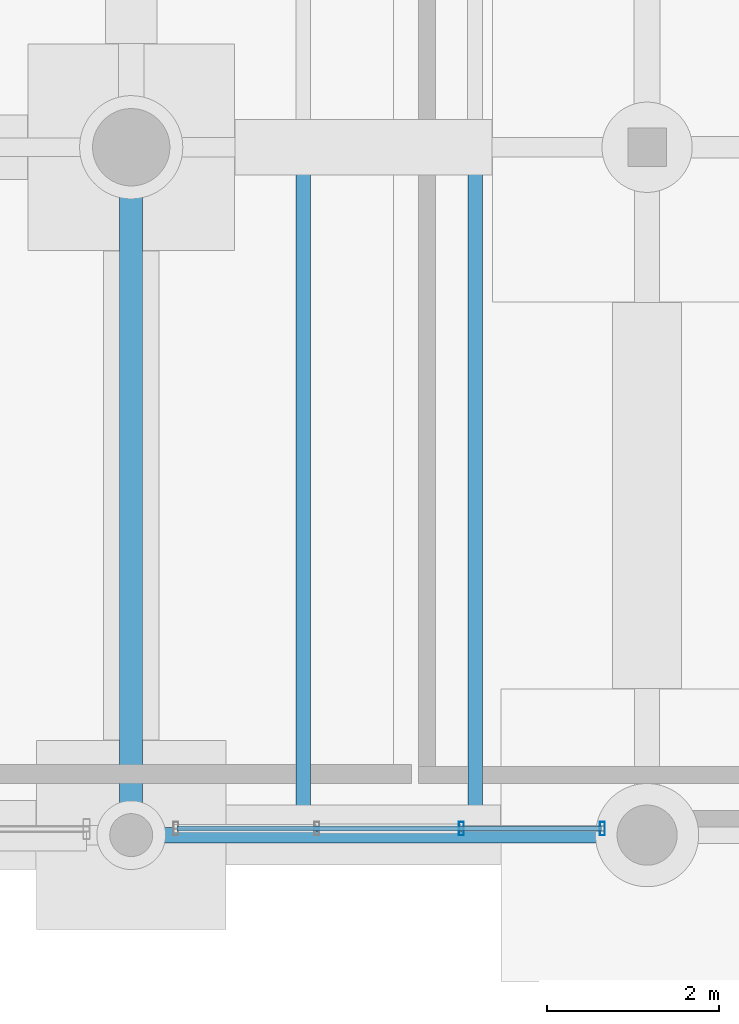
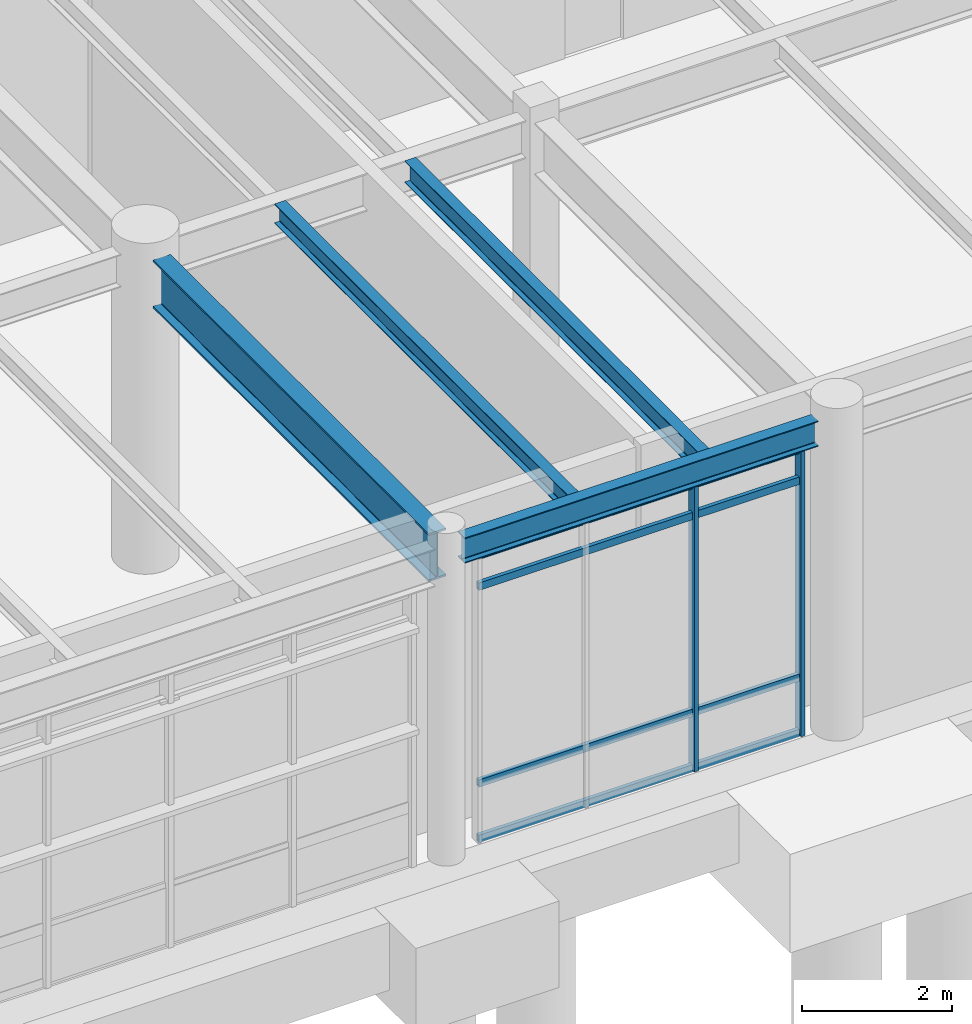
# One storey, part 132 of 203: 6 members, 4 beams, 1 element without a shape of its own.
"""IFC4 building model written with IfcOpenShell, lengths in metres."""

import ifcopenshell
import ifcopenshell.guid

model = None  # the IFC model being written
_history = None  # IfcOwnerHistory: only IFC2X3 demands one
_inside = {}  # id of a spatial element -> (the spatial element, [elements in it])
_under = {}  # id of a project, library or spatial element -> (it, [spatial elements below it])
_declared = {}  # id of a project -> (the project, [libraries it declares])
_typed = {}  # id of a type object -> (the type object, [elements of that type])
_made_of = {}  # id of a material, layer set ... -> (it, [elements and type objects made of it])


def new_model(schema):
    """Start an empty IFC model of exactly this schema.

    Asked for "IFC4X3", IfcOpenShell would pick the latest addendum, in which some entities
    have other attributes; the version numbers below select the first issue.
    IFC2X3 requires an IfcOwnerHistory on every rooted entity: one is made here for all.
    """
    global model, _history
    if schema == "IFC4X3":
        model = ifcopenshell.file(schema_version=(4, 3, 0, 0))
    else:
        model = ifcopenshell.file(schema=schema)
    _inside.clear()
    _under.clear()
    _declared.clear()
    _typed.clear()
    _made_of.clear()
    _history = None
    if model.schema == "IFC2X3":
        org = make("IfcOrganization", Name="unknown")
        user = make(
            "IfcPersonAndOrganization",
            ThePerson=make("IfcPerson", FamilyName="unknown"),
            TheOrganization=org,
        )
        app = make(
            "IfcApplication",
            ApplicationDeveloper=org,
            Version="unknown",
            ApplicationFullName="unknown",
            ApplicationIdentifier="unknown",
        )
        _history = make(
            "IfcOwnerHistory",
            OwningUser=user,
            OwningApplication=app,
            ChangeAction="ADDED",
            CreationDate=0,
        )
    return model


def make(cls, **values):
    """One entity of the class cls with the attributes given. An attribute that is None is left unset."""
    return model.create_entity(
        cls, **{name: value for name, value in values.items() if value is not None}
    )


def rooted(cls, **values):
    """An entity with a GlobalId (a new one), such as an element, a storey or a relation."""
    return make(cls, GlobalId=ifcopenshell.guid.new(), OwnerHistory=_history, **values)


def si_unit(unit_type, name, prefix=None):
    """IfcSIUnit, for example si_unit("LENGTHUNIT", "METRE", prefix="MILLI")."""
    return make("IfcSIUnit", UnitType=unit_type, Prefix=prefix, Name=name)


def assignment(units):
    """IfcUnitAssignment: the units of a project."""
    return None if units is None else make("IfcUnitAssignment", Units=units)


def point(xyz):
    """IfcCartesianPoint."""
    return None if xyz is None else make("IfcCartesianPoint", Coordinates=xyz)


def direction(xyz):
    """IfcDirection."""
    return None if xyz is None else make("IfcDirection", DirectionRatios=xyz)


def frame(location, z_axis=None, x_axis=None):
    """IfcAxis2Placement3D, a coordinate frame: its origin and axes. An axis left out is left unset."""
    return make(
        "IfcAxis2Placement3D",
        Location=point(location),
        Axis=direction(z_axis),
        RefDirection=direction(x_axis),
    )


def frame_2d(location, x_axis=None):
    """IfcAxis2Placement2D, a coordinate frame in the plane: its origin and x axis."""
    return make(
        "IfcAxis2Placement2D", Location=point(location), RefDirection=direction(x_axis)
    )


def origin():
    """The frame at (0, 0, 0) with its axes left unset."""
    return frame((0.0, 0.0, 0.0))


def origin_2d():
    """The frame at (0, 0) in the plane with its x axis left unset."""
    return frame_2d((0.0, 0.0))


def place(relative_to, where):
    """IfcLocalPlacement: puts the frame where relative to a parent placement (None: the world)."""
    return make(
        "IfcLocalPlacement", PlacementRelTo=relative_to, RelativePlacement=where
    )


def context(
    kind, dimensions, precision=None, world=None, true_north=None, identifier=None
):
    """IfcGeometricRepresentationContext, for example the 3D "Model" context."""
    return make(
        "IfcGeometricRepresentationContext",
        ContextIdentifier=identifier,
        ContextType=kind,
        CoordinateSpaceDimension=dimensions,
        Precision=precision,
        WorldCoordinateSystem=world,
        TrueNorth=true_north,
    )


def subcontext(parent, identifier, kind, view, scale=None):
    """IfcGeometricRepresentationSubContext, for example "Body" below "Model"."""
    return make(
        "IfcGeometricRepresentationSubContext",
        ContextIdentifier=identifier,
        ContextType=kind,
        ParentContext=parent,
        TargetScale=scale,
        TargetView=view,
    )


def project(units=None, contexts=None):
    """IfcProject with its units and contexts."""
    return rooted(
        "IfcProject",
        Name="project",
        RepresentationContexts=contexts,
        UnitsInContext=assignment(units),
    )


def spatial(cls, under=None, at=None, **own):
    """A site, building, storey or space (cls), placed at a placement, below another one or the project."""
    s = rooted(cls, ObjectPlacement=at, **own)
    if under is not None:
        _under.setdefault(under.id(), (under, []))[1].append(s)
    return s


def profile(cls, at=None, kind="AREA", **sizes):
    """A parametric profile (cls). Its sizes go by their IFC names, for example OverallWidth=200.0."""
    return make(cls, ProfileType=kind, Position=at, **sizes)


def hollow_rectangle(**sizes):
    """IfcRectangleHollowProfileDef."""
    return profile("IfcRectangleHollowProfileDef", **sizes)


def i_section(**sizes):
    """IfcIShapeProfileDef."""
    return profile("IfcIShapeProfileDef", **sizes)


def extrude(swept, where, along, depth):
    """IfcExtrudedAreaSolid: the profile swept, set in the frame where, extruded along a direction by depth."""
    return make(
        "IfcExtrudedAreaSolid",
        SweptArea=swept,
        Position=where,
        ExtrudedDirection=direction(along),
        Depth=depth,
    )


def shape(context_of_items, identifier, shape_type, items):
    """IfcShapeRepresentation: the items that make up one representation, for example the "Body"."""
    return make(
        "IfcShapeRepresentation",
        ContextOfItems=context_of_items,
        RepresentationIdentifier=identifier,
        RepresentationType=shape_type,
        Items=items,
    )


def material(Name=None, Category=None):
    """IfcMaterial."""
    return make("IfcMaterial", Name=Name, Category=Category)


def material_profile(
    of_material, cross_section, Name=None, Category=None, Priority=None
):
    """IfcMaterialProfile: a cross section and its material."""
    return make(
        "IfcMaterialProfile",
        Name=Name,
        Material=of_material,
        Profile=cross_section,
        Priority=Priority,
        Category=Category,
    )


def profile_set(profiles, Name=None, composite=None):
    """IfcMaterialProfileSet."""
    return make(
        "IfcMaterialProfileSet",
        Name=Name,
        MaterialProfiles=profiles,
        CompositeProfile=composite,
    )


def made_of(thing, what):
    """Note that an element or type object is made of a material, layer set ...; save() writes the relation."""
    if what is not None:
        _made_of.setdefault(what.id(), (what, []))[1].append(thing)
    return thing


def type_object(cls, material=None, **own):
    """A type object (cls), such as IfcWallType, which elements share."""
    return made_of(rooted(cls, **own), material)


def element(
    cls,
    number,
    at=None,
    inside=None,
    cuts=None,
    type_object=None,
    material=None,
    context=None,
    identifier="Body",
    shape_type=None,
    held_by="IfcProductDefinitionShape",
    body=None,
    shapes=None,
    **own,
):
    """One element of the class cls, such as IfcWall. Its Tag is "e" and its number.

    at: its placement. inside: the storey or other place that contains it. cuts: it is an
    opening in that element (IfcRelVoidsElement). A single representation is given by context,
    identifier, shape_type and body (its items); several are given by shapes. held_by: the class
    of the entity that holds the representations. save() writes the other relations.
    """
    e = rooted(cls, Tag="e%d" % number, ObjectPlacement=at, **own)
    if body is not None:
        shapes = [shape(context, identifier, shape_type, body)]
    if shapes is not None:
        e.Representation = make(held_by, Representations=shapes)
    if inside is not None:
        _inside.setdefault(inside.id(), (inside, []))[1].append(e)
    if cuts is not None:
        rooted(
            "IfcRelVoidsElement", RelatingBuildingElement=cuts, RelatedOpeningElement=e
        )
    if type_object is not None:
        _typed.setdefault(type_object.id(), (type_object, []))[1].append(e)
    return made_of(e, material)


def aggregate(whole, parts):
    """IfcRelAggregates: a whole, such as a stair, and the parts it consists of."""
    return rooted("IfcRelAggregates", RelatingObject=whole, RelatedObjects=parts)


def save(model, path):
    """Write the relations noted so far, then the file.

    IfcRelAggregates (storeys below a building ...), IfcRelContainedInSpatialStructure (elements
    in a storey), IfcRelDefinesByType, IfcRelAssociatesMaterial and IfcRelDeclares: one each for
    every whole, place, type object, material and project.
    """
    for whole, parts in _under.values():
        aggregate(whole, parts)
    for where, things in _inside.values():
        rooted(
            "IfcRelContainedInSpatialStructure",
            RelatedElements=things,
            RelatingStructure=where,
        )
    for kind, things in _typed.values():
        rooted("IfcRelDefinesByType", RelatedObjects=things, RelatingType=kind)
    for what, things in _made_of.values():
        rooted("IfcRelAssociatesMaterial", RelatedObjects=things, RelatingMaterial=what)
    for by, libraries in _declared.values():
        rooted("IfcRelDeclares", RelatingContext=by, RelatedDefinitions=libraries)
    model.write(path)


model = new_model("IFC4")

# Units and contexts
model_context = context("Model", 3, precision=1e-05, world=origin(), true_north=direction((0.0, 1.0)))
body_context = subcontext(model_context, "Body", "Model", "MODEL_VIEW")
ifc_project = project(units=[si_unit("LENGTHUNIT", "METRE"), si_unit("AREAUNIT", "SQUARE_METRE"), si_unit("VOLUMEUNIT", "CUBIC_METRE"), si_unit("PLANEANGLEUNIT", "RADIAN"), si_unit("MASSUNIT", "GRAM", prefix="KILO"), si_unit("THERMODYNAMICTEMPERATUREUNIT", "KELVIN"), si_unit("POWERUNIT", "WATT")], contexts=[model_context])

# Site, building, storey
site_placement = place(None, origin())
site = spatial("IfcSite", under=ifc_project, at=site_placement, CompositionType="ELEMENT")
building_placement = place(site_placement, origin())
building = spatial("IfcBuilding", under=site, at=building_placement, Name="Tepalcoro Natatorium and Aquatics Centre", CompositionType="ELEMENT")
storey_placement = place(building_placement, origin())
storey = spatial("IfcBuildingStorey", under=building, at=storey_placement, Name="L00", CompositionType="ELEMENT", Elevation=0.0)

# Beam
ifc_material_1 = material(Name="Steel ASTM A992 Grade 50 (Fy 345 MPa)", Category="steel")
ifc_material_profile_1 = material_profile(ifc_material_1, i_section(OverallWidth=0.26708984375, OverallDepth=0.780029296875, WebThickness=0.01708984375, FlangeThickness=0.030029296875, FilletRadius=0.013916015625, at=origin_2d()), Name="W30X148")
ifc_profile_set_1 = profile_set([ifc_material_profile_1], Name="Steel ASTM A992 Grade 50 (Fy 345 MPa)")
beam_type_1 = type_object("IfcBeamType", Name="BM_W30x148", PredefinedType="BEAM", material=ifc_profile_set_1)
beam_1_placement = place(storey_placement, frame((159.0, 86.235107421875, 4.735107421875), z_axis=(0.0, 1.0, 0.0), x_axis=(-1.0, 0.0, 0.0)))
element("IfcBeam", 1, at=beam_1_placement, inside=storey, type_object=beam_type_1, Name="V5 L00 Grid Girder Y", PredefinedType="BEAM", context=body_context, shape_type="SweptSolid", body=[
    extrude(i_section(OverallWidth=0.26708984375, OverallDepth=0.780029296875, WebThickness=0.01708984375, FlangeThickness=0.030029296875, FilletRadius=0.013916015625, at=origin_2d()), origin(), (0.0, 0.0, 1.0), 7.329833984375),
])

# Curtain wall, members
ifc_material_2 = material(Name="Bronze-Anodised Extruded Aluminium Alloy EN AW-6063 T6", Category="aluminium")
curtain_wall_type = type_object("IfcCurtainWallType", Name="CW_LEAN_T2_NS", PredefinedType="USERDEFINED", material=ifc_material_2)
curtain_wall_placement = place(storey_placement, origin())
curtain_wall = element("IfcCurtainWall", 2, at=curtain_wall_placement, inside=storey, type_object=curtain_wall_type, Name="V5 L00 S Unitised Curtain Wall Bay 8", ObjectType="FACETED SOLAR GLAZING", PredefinedType="USERDEFINED")
ifc_material_profile_2 = material_profile(ifc_material_2, hollow_rectangle(XDim=0.06005859375, YDim=0.159912109375, WallThickness=0.00390625, at=origin_2d()), Name="AL60X160X4")
ifc_profile_set_2 = profile_set([ifc_material_profile_2], Name="Bronze-Anodised Extruded Aluminium Alloy EN AW-6063 T6")
member_type_1 = type_object("IfcMemberType", Name="CW_MUL_60x160", PredefinedType="MULLION", material=ifc_profile_set_2)
member_1_placement = place(storey_placement, frame((162.840087890625, 86.076171875, 0.02001953125), z_axis=(0.0, 0.0, 1.0), x_axis=(1.0, 0.0, 0.0)))
member_1 = element("IfcMember", 3, at=member_1_placement, type_object=member_type_1, Name="CW_LEAN_T2_NS Curtain Wall Mullion", PredefinedType="MULLION", context=body_context, shape_type="SweptSolid", body=[
    extrude(hollow_rectangle(XDim=0.06005859375, YDim=0.159912109375, WallThickness=0.00390625, at=origin_2d()), origin(), (0.0, 0.0, 1.0), 4.656982421875),
])
member_2_placement = place(storey_placement, frame((164.47998046875, 86.076171875, 0.02001953125), z_axis=(0.0, 0.0, 1.0), x_axis=(1.0, 0.0, 0.0)))
member_2 = element("IfcMember", 4, at=member_2_placement, type_object=member_type_1, Name="CW_LEAN_T2_NS Curtain Wall Mullion", PredefinedType="MULLION", context=body_context, shape_type="SweptSolid", body=[
    extrude(hollow_rectangle(XDim=0.06005859375, YDim=0.159912109375, WallThickness=0.00390625, at=origin_2d()), origin(), (0.0, 0.0, 1.0), 4.656982421875),
])
ifc_material_profile_3 = material_profile(ifc_material_2, hollow_rectangle(XDim=0.06005859375, YDim=0.1201171875, WallThickness=0.00390625, at=origin_2d()), Name="AL60X120X4")
ifc_profile_set_3 = profile_set([ifc_material_profile_3], Name="Bronze-Anodised Extruded Aluminium Alloy EN AW-6063 T6")
member_type_2 = type_object("IfcMemberType", Name="CW_TRN_60x120", PredefinedType="USERDEFINED", material=ifc_profile_set_3)
member_3_placement = place(storey_placement, frame((159.530029296875, 86.076171875, 0.050048828125), z_axis=(1.0, 0.0, 0.0), x_axis=(0.0, 1.0, 0.0)))
member_3 = element("IfcMember", 5, at=member_3_placement, type_object=member_type_2, Name="CW_LEAN_T2_NS Curtain Wall Transom", ObjectType="TRANSOM", PredefinedType="USERDEFINED", context=body_context, shape_type="SweptSolid", body=[
    extrude(hollow_rectangle(XDim=0.06005859375, YDim=0.1201171875, WallThickness=0.00390625, at=origin_2d()), origin(), (0.0, 0.0, 1.0), 4.93994140625),
])
member_4_placement = place(storey_placement, frame((159.530029296875, 86.076171875, 0.949951171875), z_axis=(1.0, 0.0, 0.0), x_axis=(0.0, 1.0, 0.0)))
member_4 = element("IfcMember", 6, at=member_4_placement, type_object=member_type_2, Name="CW_LEAN_T2_NS Curtain Wall Transom", ObjectType="TRANSOM", PredefinedType="USERDEFINED", context=body_context, shape_type="SweptSolid", body=[
    extrude(hollow_rectangle(XDim=0.06005859375, YDim=0.1201171875, WallThickness=0.00390625, at=origin_2d()), origin(), (0.0, 0.0, 1.0), 4.93994140625),
])
member_5_placement = place(storey_placement, frame((159.530029296875, 86.076171875, 4.14697265625), z_axis=(1.0, 0.0, 0.0), x_axis=(0.0, 1.0, 0.0)))
member_5 = element("IfcMember", 7, at=member_5_placement, type_object=member_type_2, Name="CW_LEAN_T2_NS Curtain Wall Transom", ObjectType="TRANSOM", PredefinedType="USERDEFINED", context=body_context, shape_type="SweptSolid", body=[
    extrude(hollow_rectangle(XDim=0.06005859375, YDim=0.1201171875, WallThickness=0.00390625, at=origin_2d()), origin(), (0.0, 0.0, 1.0), 4.93994140625),
])
member_6_placement = place(storey_placement, frame((159.530029296875, 86.076171875, 4.64697265625), z_axis=(1.0, 0.0, 0.0), x_axis=(0.0, 1.0, 0.0)))
member_6 = element("IfcMember", 8, at=member_6_placement, type_object=member_type_2, Name="CW_LEAN_T2_NS Curtain Wall Transom", ObjectType="TRANSOM", PredefinedType="USERDEFINED", context=body_context, shape_type="SweptSolid", body=[
    extrude(hollow_rectangle(XDim=0.06005859375, YDim=0.1201171875, WallThickness=0.00390625, at=origin_2d()), origin(), (0.0, 0.0, 1.0), 4.93994140625),
])
aggregate(curtain_wall, [member_1, member_2, member_3, member_4, member_5, member_6])

# Beams
ifc_material_profile_4 = material_profile(ifc_material_1, i_section(OverallWidth=0.1669921875, OverallDepth=0.318115234375, WebThickness=0.008056640625, FlangeThickness=0.012939453125, FilletRadius=0.013916015625, at=origin_2d()), Name="W12X35")
ifc_profile_set_4 = profile_set([ifc_material_profile_4], Name="Steel ASTM A992 Grade 50 (Fy 345 MPa)")
beam_type_2 = type_object("IfcBeamType", Name="JS_W12x35", PredefinedType="JOIST", material=ifc_profile_set_4)
beam_2_placement = place(storey_placement, frame((161.0, 86.090087890625, 4.966064453125), z_axis=(0.0, 1.0, 0.0), x_axis=(-1.0, 0.0, 0.0)))
element("IfcBeam", 9, at=beam_2_placement, inside=storey, type_object=beam_type_2, Name="V5 L00 Floor Joist", PredefinedType="JOIST", context=body_context, shape_type="SweptSolid", body=[
    extrude(i_section(OverallWidth=0.1669921875, OverallDepth=0.318115234375, WebThickness=0.008056640625, FlangeThickness=0.012939453125, FilletRadius=0.013916015625, at=origin_2d()), origin(), (0.0, 0.0, 1.0), 7.794921875),
])
ifc_material_profile_5 = material_profile(ifc_material_1, i_section(OverallWidth=0.1708984375, OverallDepth=0.35107421875, WebThickness=0.007080078125, FlangeThickness=0.010009765625, FilletRadius=0.013916015625, at=origin_2d()), Name="W14X30")
ifc_profile_set_5 = profile_set([ifc_material_profile_5], Name="Steel ASTM A992 Grade 50 (Fy 345 MPa)")
beam_type_3 = type_object("IfcBeamType", Name="JS_W14x30", PredefinedType="JOIST", material=ifc_profile_set_5)
beam_3_placement = place(storey_placement, frame((163.0, 86.090087890625, 4.949462890625), z_axis=(0.0, 1.0, 0.0), x_axis=(-1.0, 0.0, 0.0)))
element("IfcBeam", 10, at=beam_3_placement, inside=storey, type_object=beam_type_3, Name="V5 L00 Floor Joist", PredefinedType="JOIST", context=body_context, shape_type="SweptSolid", body=[
    extrude(i_section(OverallWidth=0.1708984375, OverallDepth=0.35107421875, WebThickness=0.007080078125, FlangeThickness=0.010009765625, FilletRadius=0.013916015625, at=origin_2d()), origin(), (0.0, 0.0, 1.0), 7.794921875),
])
ifc_material_profile_6 = material_profile(ifc_material_1, i_section(OverallWidth=0.179931640625, OverallDepth=0.4130859375, WebThickness=0.010009765625, FlangeThickness=0.01611328125, FilletRadius=0.013916015625, at=origin_2d()), Name="W16X50")
ifc_profile_set_6 = profile_set([ifc_material_profile_6], Name="Steel ASTM A992 Grade 50 (Fy 345 MPa)")
beam_type_4 = type_object("IfcBeamType", Name="SP_HSS300x200x12", PredefinedType="SPANDREL", material=ifc_profile_set_6)
beam_4_placement = place(storey_placement, frame((159.235107421875, 86.0, 4.91845703125), z_axis=(1.0, 0.0, 0.0), x_axis=(0.0, 1.0, 0.0)))
element("IfcBeam", 11, at=beam_4_placement, inside=storey, type_object=beam_type_4, Name="V5 L00 Grid Girder X", PredefinedType="SPANDREL", context=body_context, shape_type="SweptSolid", body=[
    extrude(i_section(OverallWidth=0.179931640625, OverallDepth=0.4130859375, WebThickness=0.010009765625, FlangeThickness=0.01611328125, FilletRadius=0.013916015625, at=origin_2d()), origin(), (0.0, 0.0, 1.0), 5.429931640625),
])

save(model, "model.ifc")
